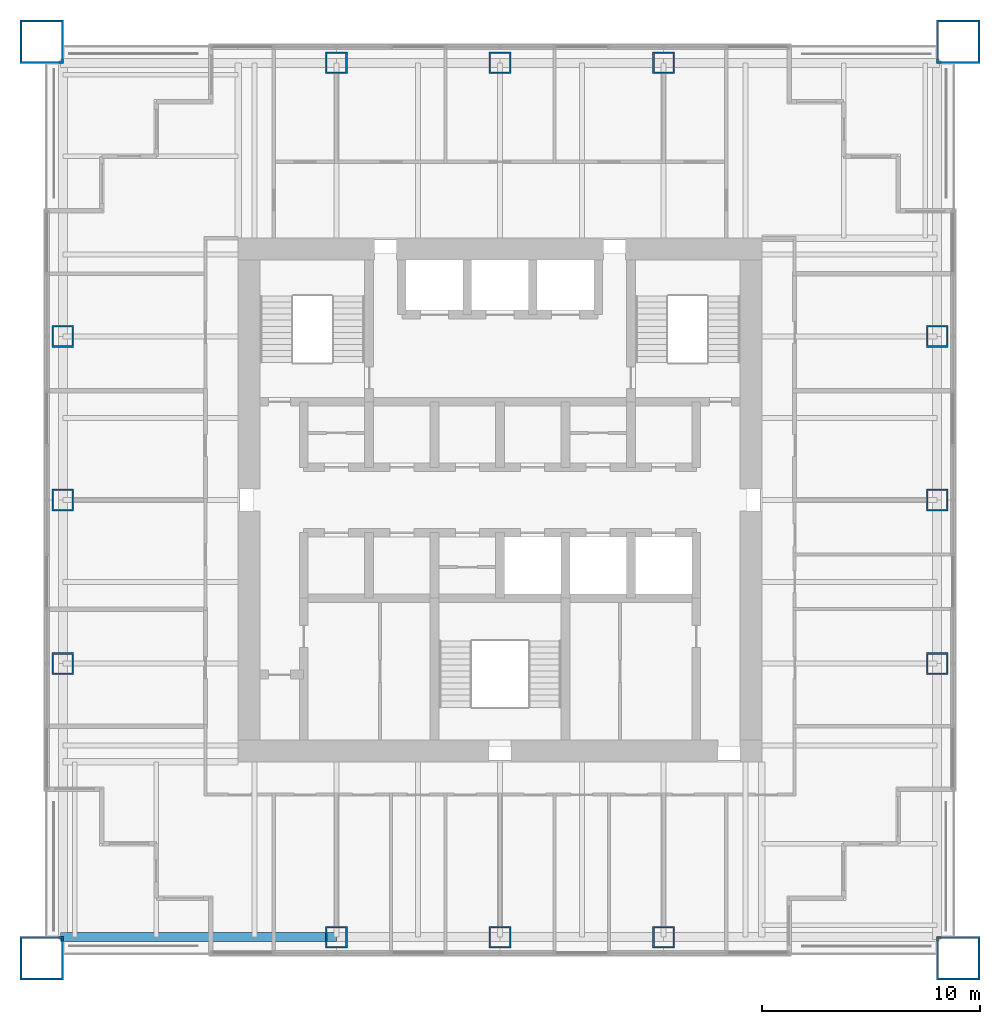
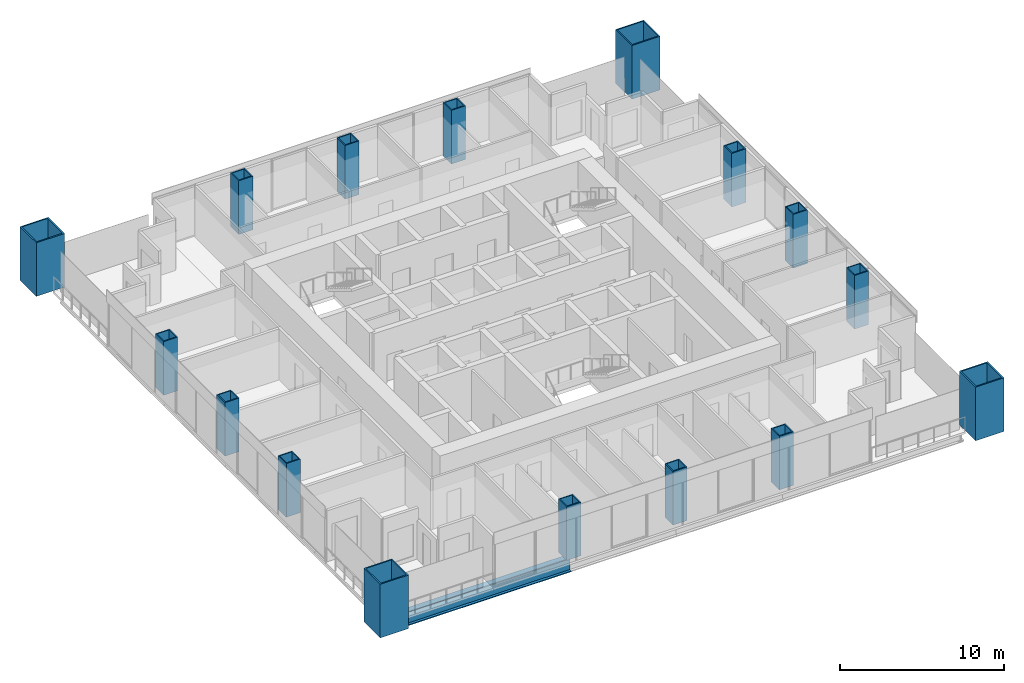
# One storey, part 1 of 15: 16 columns, 1 beam.
"""IFC4 building model written with IfcOpenShell, lengths in metres."""

from ifc_helpers import new_model, si_unit, direction, frame, origin, origin_2d, place, context, subcontext, project, spatial, hollow_rectangle, i_section, extrude, material, material_profile, profile_set, type_object, element, save


model = new_model("IFC4")

# Units and contexts
model_context = context("Model", 3, precision=1e-05, world=origin(), true_north=direction((0.0, 1.0)))
body_context = subcontext(model_context, "Body", "Model", "MODEL_VIEW")
ifc_project = project(units=[si_unit("LENGTHUNIT", "METRE"), si_unit("AREAUNIT", "SQUARE_METRE"), si_unit("VOLUMEUNIT", "CUBIC_METRE"), si_unit("PLANEANGLEUNIT", "RADIAN"), si_unit("MASSUNIT", "GRAM", prefix="KILO")], contexts=[model_context])

# Site, building, storey
site_placement = place(None, origin())
site = spatial("IfcSite", under=ifc_project, at=site_placement, CompositionType="ELEMENT")
building_placement = place(site_placement, origin())
building = spatial("IfcBuilding", under=site, at=building_placement, Name="Tarangal Relay Tower", CompositionType="ELEMENT")
storey_placement = place(building_placement, frame((0.0, 0.0, 331.89990234375)))
storey = spatial("IfcBuildingStorey", under=building, at=storey_placement, Name="L74", CompositionType="ELEMENT", Elevation=331.89990234375)

# Columns
ifc_material_1 = material(Name="Steel ASTM A572 Grade 50", Category="steel")
ifc_material_profile_1 = material_profile(ifc_material_1, hollow_rectangle(XDim=2.0, YDim=2.0, WallThickness=0.094970703125, at=origin_2d()), Name="BOX2000X2000X95")
ifc_profile_set_1 = profile_set([ifc_material_profile_1], Name="Steel ASTM A572 Grade 50")
column_type_1 = type_object("IfcColumnType", Name="Mega column BOX2000X2000X95", PredefinedType="COLUMN", material=ifc_profile_set_1)
for number, where, z_axis, x_axis, name in (
    (1, (21.0, 21.0, 0.0), (0.0, 0.0, 1.0), (1.0, 0.0, 0.0), "Mega column MC4 NE L74"),
    (2, (21.0, -21.0, 0.0), (0.0, 0.0, 1.0), (1.0, 0.0, 0.0), "Mega column MC4 SE L74"),
    (3, (-21.0, -21.0, 0.0), (0.0, 0.0, 1.0), (1.0, 0.0, 0.0), "Mega column MC4 SW L74"),
    (4, (-21.0, 21.0, 0.0), (0.0, 0.0, 1.0), (1.0, 0.0, 0.0), "Mega column MC4 NW L74"),
):
    element("IfcColumn", number, at=place(storey_placement, frame(where, z_axis=z_axis, x_axis=x_axis)), inside=storey, type_object=column_type_1, Name=name, PredefinedType="COLUMN", context=body_context, shape_type="SweptSolid", body=[
        extrude(hollow_rectangle(XDim=2.0, YDim=2.0, WallThickness=0.094970703125, at=origin_2d()), origin(), (0.0, 0.0, 1.0), 4.0),
    ])
ifc_material_profile_2 = material_profile(ifc_material_1, hollow_rectangle(XDim=1.0, YDim=1.0, WallThickness=0.074951171875, at=origin_2d()), Name="BOX1000X1000X75")
ifc_profile_set_2 = profile_set([ifc_material_profile_2], Name="Steel ASTM A572 Grade 50")
column_type_2 = type_object("IfcColumnType", Name="Perimeter column BOX1000X1000X75", PredefinedType="COLUMN", material=ifc_profile_set_2)
for number, where, z_axis, x_axis, name in (
    (5, (-7.5, 20.0400390625, 0.0), (0.0, 0.0, 1.0), (1.0, 0.0, 0.0), "Perimeter column PC5 N L74"),
    (6, (0.0, 20.0400390625, 0.0), (0.0, 0.0, 1.0), (1.0, 0.0, 0.0), "Perimeter column PC5 N L74"),
    (7, (7.5, 20.0400390625, 0.0), (0.0, 0.0, 1.0), (1.0, 0.0, 0.0), "Perimeter column PC5 N L74"),
    (8, (20.0400390625, 7.5, 0.0), (0.0, 0.0, 1.0), (1.0, 0.0, 0.0), "Perimeter column PC5 E L74"),
    (9, (20.0400390625, 0.0, 0.0), (0.0, 0.0, 1.0), (1.0, 0.0, 0.0), "Perimeter column PC5 E L74"),
    (10, (20.0400390625, -7.5, 0.0), (0.0, 0.0, 1.0), (1.0, 0.0, 0.0), "Perimeter column PC5 E L74"),
    (11, (7.5, -20.0400390625, 0.0), (0.0, 0.0, 1.0), (1.0, 0.0, 0.0), "Perimeter column PC5 S L74"),
    (12, (0.0, -20.0400390625, 0.0), (0.0, 0.0, 1.0), (1.0, 0.0, 0.0), "Perimeter column PC5 S L74"),
    (13, (-7.5, -20.0400390625, 0.0), (0.0, 0.0, 1.0), (1.0, 0.0, 0.0), "Perimeter column PC5 S L74"),
    (14, (-20.0400390625, -7.5, 0.0), (0.0, 0.0, 1.0), (1.0, 0.0, 0.0), "Perimeter column PC5 W L74"),
    (15, (-20.0400390625, 0.0, 0.0), (0.0, 0.0, 1.0), (1.0, 0.0, 0.0), "Perimeter column PC5 W L74"),
    (16, (-20.0400390625, 7.5, 0.0), (0.0, 0.0, 1.0), (1.0, 0.0, 0.0), "Perimeter column PC5 W L74"),
):
    element("IfcColumn", number, at=place(storey_placement, frame(where, z_axis=z_axis, x_axis=x_axis)), inside=storey, type_object=column_type_2, Name=name, PredefinedType="COLUMN", context=body_context, shape_type="SweptSolid", body=[
        extrude(hollow_rectangle(XDim=1.0, YDim=1.0, WallThickness=0.074951171875, at=origin_2d()), origin(), (0.0, 0.0, 1.0), 4.0),
    ])

# Beam
ifc_material_2 = material(Name="Steel ASTM A992", Category="steel")
ifc_material_profile_3 = material_profile(ifc_material_2, i_section(OverallWidth=0.41162109375, OverallDepth=1.049072265625, WebThickness=0.033935546875, FlangeThickness=0.059814453125, at=origin_2d()), Name="W40X431")
ifc_profile_set_3 = profile_set([ifc_material_profile_3], Name="Steel ASTM A992")
beam_type = type_object("IfcBeamType", Name="Edge girder W40X431", PredefinedType="SPANDREL", material=ifc_profile_set_3)
beam_placement = place(storey_placement, frame((-7.5, -20.0400390625, -0.67431640625), z_axis=(-1.0, 0.0, 0.0), x_axis=(0.0, -1.0, 0.0)))
element("IfcBeam", 17, at=beam_placement, inside=storey, type_object=beam_type, Name="Edge girder EG1 S L74", PredefinedType="SPANDREL", context=body_context, shape_type="SweptSolid", body=[
    extrude(i_section(OverallWidth=0.41162109375, OverallDepth=1.049072265625, WebThickness=0.033935546875, FlangeThickness=0.059814453125, at=origin_2d()), origin(), (0.0, 0.0, 1.0), 12.64990234375),
])

save(model, "model.ifc")
